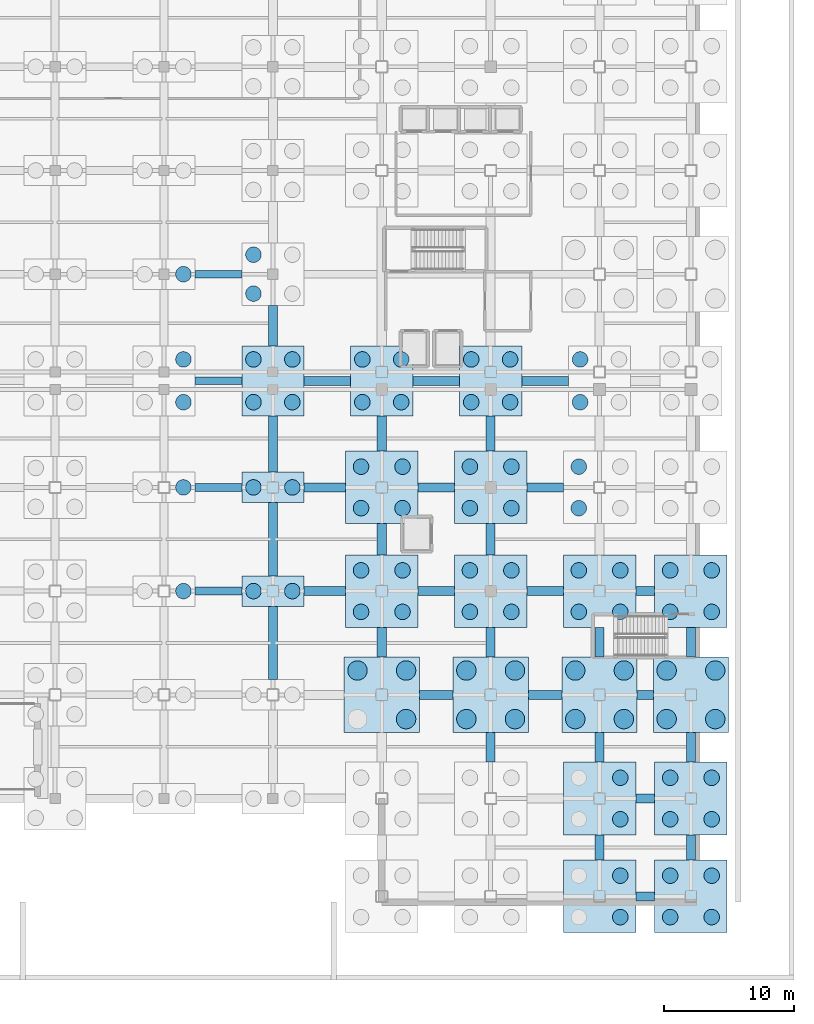
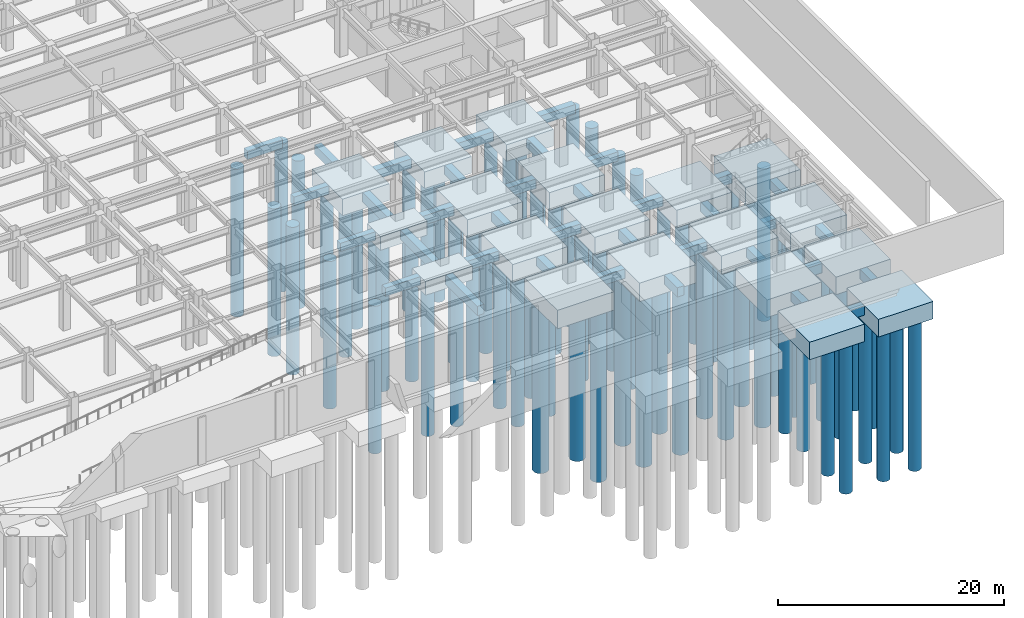
# One storey, part 11 of 55: 78 piles, 55 footings.
"""IFC4 building model written with IfcOpenShell, lengths in metres."""

from ifc_helpers import new_model, si_unit, direction, frame, origin, origin_2d, place, context, subcontext, project, spatial, rectangle, circle, extrude, material, layer, layer_set, material_profile, profile_set, type_object, element, save


model = new_model("IFC4")

# Units and contexts
model_context = context("Model", 3, precision=1e-05, world=origin(), true_north=direction((0.0, 1.0)))
body_context = subcontext(model_context, "Body", "Model", "MODEL_VIEW")
ifc_project = project(units=[si_unit("LENGTHUNIT", "METRE"), si_unit("AREAUNIT", "SQUARE_METRE"), si_unit("VOLUMEUNIT", "CUBIC_METRE"), si_unit("PLANEANGLEUNIT", "RADIAN"), si_unit("MASSUNIT", "GRAM", prefix="KILO")], contexts=[model_context])

# Site, building, storey
site_placement = place(None, origin())
site = spatial("IfcSite", under=ifc_project, at=site_placement, CompositionType="ELEMENT")
building_placement = place(site_placement, origin())
building = spatial("IfcBuilding", under=site, at=building_placement, Name="Kazehara Bluff Congress Hotel", CompositionType="ELEMENT")
storey_placement = place(building_placement, frame((0.0, 0.0, -5.39990234375)))
storey = spatial("IfcBuildingStorey", under=building, at=storey_placement, Name="B1", CompositionType="ELEMENT", Elevation=-5.39990234375)

# Footings
ifc_material_1 = material(Name="Concrete C36/45", Category="concrete")
ifc_material_profile_1 = material_profile(ifc_material_1, rectangle(XDim=0.60009765625, YDim=0.89990234375, at=origin_2d()))
ifc_profile_set_1 = profile_set([ifc_material_profile_1], Name="Concrete C36/45")
footing_type_1 = type_object("IfcFootingType", Name="TP-FB-01", PredefinedType="FOOTING_BEAM", material=ifc_profile_set_1)
for number, where, z_axis, x_axis, name in (
    (1, (129.300048828125, 24.0, -0.9501953125), (1.0, 0.0, 0.0), (0.0, 1.0, 0.0), "Foundation tie beam FB-01 59"),
    (2, (129.300048828125, 32.0, -0.9501953125), (1.0, 0.0, 0.0), (0.0, 1.0, 0.0), "Foundation tie beam FB-01 78"),
    (3, (129.300048828125, 40.22509765625, -0.9501953125), (1.0, 0.0, 0.0), (0.0, 1.0, 0.0), "Foundation tie beam FB-01 96"),
    (4, (129.300048828125, 48.449951171875, -0.9501953125), (1.0, 0.0, 0.0), (0.0, 1.0, 0.0), "Foundation tie beam FB-01 113"),
):
    element("IfcFooting", number, at=place(storey_placement, frame(where, z_axis=z_axis, x_axis=x_axis)), inside=storey, type_object=footing_type_1, Name=name, PredefinedType="FOOTING_BEAM", context=body_context, shape_type="SweptSolid", body=[
        extrude(rectangle(XDim=0.60009765625, YDim=0.89990234375, at=origin_2d()), origin(), (0.0, 0.0, 1.0), 3.599853515625),
    ])
ifc_material_2 = material(Name="Concrete C36/45", Category="concrete")
ifc_material_profile_2 = material_profile(ifc_material_2, rectangle(XDim=0.699951171875, YDim=1.0, at=origin_2d()))
ifc_profile_set_2 = profile_set([ifc_material_profile_2], Name="Concrete C36/45")
footing_type_2 = type_object("IfcFootingType", Name="TP-FB-02", PredefinedType="FOOTING_BEAM", material=ifc_profile_set_2)
for number, where, z_axis, x_axis, name in (
    (5, (163.300048828125, 0.449951171875, -1.0), (1.0, 0.0, 0.0), (0.0, 1.0, 0.0), "Foundation tie beam FB-02 8"),
    (6, (163.300048828125, 8.0, -1.0), (1.0, 0.0, 0.0), (0.0, 1.0, 0.0), "Foundation tie beam FB-02 27"),
):
    element("IfcFooting", number, at=place(storey_placement, frame(where, z_axis=z_axis, x_axis=x_axis)), inside=storey, type_object=footing_type_2, Name=name, PredefinedType="FOOTING_BEAM", context=body_context, shape_type="SweptSolid", body=[
        extrude(rectangle(XDim=0.699951171875, YDim=1.0, at=origin_2d()), origin(), (0.0, 0.0, 1.0), 1.449951171875),
    ])
footing_1_placement = place(storey_placement, frame((146.60009765625, 16.0, -1.0), z_axis=(1.0, 0.0, 0.0), x_axis=(0.0, 1.0, 0.0)))
element("IfcFooting", 7, at=footing_1_placement, inside=storey, type_object=footing_type_2, Name="Foundation tie beam FB-02 42", PredefinedType="FOOTING_BEAM", context=body_context, shape_type="SweptSolid", body=[
    extrude(rectangle(XDim=0.699951171875, YDim=1.0, at=origin_2d()), origin(), (0.0, 0.0, 1.0), 2.599853515625),
])
footing_2_placement = place(storey_placement, frame((155.0, 16.0, -1.0), z_axis=(1.0, 0.0, 0.0), x_axis=(0.0, 1.0, 0.0)))
element("IfcFooting", 8, at=footing_2_placement, inside=storey, type_object=footing_type_2, Name="Foundation tie beam FB-02 43", PredefinedType="FOOTING_BEAM", context=body_context, shape_type="SweptSolid", body=[
    extrude(rectangle(XDim=0.699951171875, YDim=1.0, at=origin_2d()), origin(), (0.0, 0.0, 1.0), 2.60009765625),
])
footing_3_placement = place(storey_placement, frame((163.39990234375, 16.0, -1.0), z_axis=(1.0, 0.0, 0.0), x_axis=(0.0, 1.0, 0.0)))
element("IfcFooting", 9, at=footing_3_placement, inside=storey, type_object=footing_type_2, Name="Foundation tie beam FB-02 44", PredefinedType="FOOTING_BEAM", context=body_context, shape_type="SweptSolid", body=[
    extrude(rectangle(XDim=0.699951171875, YDim=1.0, at=origin_2d()), origin(), (0.0, 0.0, 1.0), 1.25),
])
footing_4_placement = place(storey_placement, frame((137.699951171875, 24.0, -1.0), z_axis=(1.0, 0.0, 0.0), x_axis=(0.0, 1.0, 0.0)))
element("IfcFooting", 10, at=footing_4_placement, inside=storey, type_object=footing_type_2, Name="Foundation tie beam FB-02 60", PredefinedType="FOOTING_BEAM", context=body_context, shape_type="SweptSolid", body=[
    extrude(rectangle(XDim=0.699951171875, YDim=1.0, at=origin_2d()), origin(), (0.0, 0.0, 1.0), 3.199951171875),
])
for number, where, z_axis, x_axis, name in (
    (11, (146.5, 24.0, -1.0), (1.0, 0.0, 0.0), (0.0, 1.0, 0.0), "Foundation tie beam FB-02 61"),
    (12, (154.89990234375, 24.0, -1.0), (1.0, 0.0, 0.0), (0.0, 1.0, 0.0), "Foundation tie beam FB-02 62"),
):
    element("IfcFooting", number, at=place(storey_placement, frame(where, z_axis=z_axis, x_axis=x_axis)), inside=storey, type_object=footing_type_2, Name=name, PredefinedType="FOOTING_BEAM", context=body_context, shape_type="SweptSolid", body=[
        extrude(rectangle(XDim=0.699951171875, YDim=1.0, at=origin_2d()), origin(), (0.0, 0.0, 1.0), 2.800048828125),
    ])
footing_5_placement = place(storey_placement, frame((163.300048828125, 24.0, -1.0), z_axis=(1.0, 0.0, 0.0), x_axis=(0.0, 1.0, 0.0)))
element("IfcFooting", 13, at=footing_5_placement, inside=storey, type_object=footing_type_2, Name="Foundation tie beam FB-02 63", PredefinedType="FOOTING_BEAM", context=body_context, shape_type="SweptSolid", body=[
    extrude(rectangle(XDim=0.699951171875, YDim=1.0, at=origin_2d()), origin(), (0.0, 0.0, 1.0), 1.449951171875),
])
footing_6_placement = place(storey_placement, frame((137.699951171875, 32.0, -1.0), z_axis=(1.0, 0.0, 0.0), x_axis=(0.0, 1.0, 0.0)))
element("IfcFooting", 14, at=footing_6_placement, inside=storey, type_object=footing_type_2, Name="Foundation tie beam FB-02 79", PredefinedType="FOOTING_BEAM", context=body_context, shape_type="SweptSolid", body=[
    extrude(rectangle(XDim=0.699951171875, YDim=1.0, at=origin_2d()), origin(), (0.0, 0.0, 1.0), 3.199951171875),
])
for number, where, z_axis, x_axis, name in (
    (15, (146.5, 32.0, -1.0), (1.0, 0.0, 0.0), (0.0, 1.0, 0.0), "Foundation tie beam FB-02 80"),
    (16, (154.89990234375, 32.0, -1.0), (1.0, 0.0, 0.0), (0.0, 1.0, 0.0), "Foundation tie beam FB-02 81"),
):
    element("IfcFooting", number, at=place(storey_placement, frame(where, z_axis=z_axis, x_axis=x_axis)), inside=storey, type_object=footing_type_2, Name=name, PredefinedType="FOOTING_BEAM", context=body_context, shape_type="SweptSolid", body=[
        extrude(rectangle(XDim=0.699951171875, YDim=1.0, at=origin_2d()), origin(), (0.0, 0.0, 1.0), 2.800048828125),
    ])
footing_7_placement = place(storey_placement, frame((137.699951171875, 40.22509765625, -1.0), z_axis=(1.0, 0.0, 0.0), x_axis=(0.0, 1.0, 0.0)))
element("IfcFooting", 17, at=footing_7_placement, inside=storey, type_object=footing_type_2, Name="Foundation tie beam FB-02 97", PredefinedType="FOOTING_BEAM", context=body_context, shape_type="SweptSolid", body=[
    extrude(rectangle(XDim=0.699951171875, YDim=1.0, at=origin_2d()), origin(), (0.0, 0.0, 1.0), 3.60009765625),
])
footing_8_placement = place(storey_placement, frame((146.10009765625, 40.22509765625, -1.0), z_axis=(1.0, 0.0, 0.0), x_axis=(0.0, 1.0, 0.0)))
element("IfcFooting", 18, at=footing_8_placement, inside=storey, type_object=footing_type_2, Name="Foundation tie beam FB-02 98", PredefinedType="FOOTING_BEAM", context=body_context, shape_type="SweptSolid", body=[
    extrude(rectangle(XDim=0.699951171875, YDim=1.0, at=origin_2d()), origin(), (0.0, 0.0, 1.0), 3.599853515625),
])
footing_9_placement = place(storey_placement, frame((154.5, 40.22509765625, -1.0), z_axis=(1.0, 0.0, 0.0), x_axis=(0.0, 1.0, 0.0)))
element("IfcFooting", 19, at=footing_9_placement, inside=storey, type_object=footing_type_2, Name="Foundation tie beam FB-02 99", PredefinedType="FOOTING_BEAM", context=body_context, shape_type="SweptSolid", body=[
    extrude(rectangle(XDim=0.699951171875, YDim=1.0, at=origin_2d()), origin(), (0.0, 0.0, 1.0), 3.60009765625),
])
for number, where, z_axis, x_axis, name in (
    (20, (135.300048828125, 17.175048828125, -1.0), (0.0, 1.0, 0.0), (-1.0, 0.0, 0.0), "Foundation tie beam FB-02 437"),
    (21, (135.300048828125, 25.175048828125, -1.0), (0.0, 1.0, 0.0), (-1.0, 0.0, 0.0), "Foundation tie beam FB-02 438"),
):
    element("IfcFooting", number, at=place(storey_placement, frame(where, z_axis=z_axis, x_axis=x_axis)), inside=storey, type_object=footing_type_2, Name=name, PredefinedType="FOOTING_BEAM", context=body_context, shape_type="SweptSolid", body=[
        extrude(rectangle(XDim=0.699951171875, YDim=1.0, at=origin_2d()), origin(), (0.0, 0.0, 1.0), 5.64990234375),
    ])
footing_10_placement = place(storey_placement, frame((135.300048828125, 33.175048828125, -1.0), z_axis=(0.0, 1.0, 0.0), x_axis=(-1.0, 0.0, 0.0)))
element("IfcFooting", 22, at=footing_10_placement, inside=storey, type_object=footing_type_2, Name="Foundation tie beam FB-02 439", PredefinedType="FOOTING_BEAM", context=body_context, shape_type="SweptSolid", body=[
    extrude(rectangle(XDim=0.699951171875, YDim=1.0, at=origin_2d()), origin(), (0.0, 0.0, 1.0), 4.349853515625),
])
footing_11_placement = place(storey_placement, frame((135.300048828125, 42.925048828125, -1.0), z_axis=(0.0, 1.0, 0.0), x_axis=(-1.0, 0.0, 0.0)))
element("IfcFooting", 23, at=footing_11_placement, inside=storey, type_object=footing_type_2, Name="Foundation tie beam FB-02 440", PredefinedType="FOOTING_BEAM", context=body_context, shape_type="SweptSolid", body=[
    extrude(rectangle(XDim=0.699951171875, YDim=1.0, at=origin_2d()), origin(), (0.0, 0.0, 1.0), 3.125),
])
footing_12_placement = place(storey_placement, frame((143.699951171875, 18.89990234375, -1.0), z_axis=(0.0, 1.0, 0.0), x_axis=(-1.0, 0.0, 0.0)))
element("IfcFooting", 24, at=footing_12_placement, inside=storey, type_object=footing_type_2, Name="Foundation tie beam FB-02 449", PredefinedType="FOOTING_BEAM", context=body_context, shape_type="SweptSolid", body=[
    extrude(rectangle(XDim=0.699951171875, YDim=1.0, at=origin_2d()), origin(), (0.0, 0.0, 1.0), 2.300048828125),
])
footing_13_placement = place(storey_placement, frame((143.699951171875, 26.800048828125, -1.0), z_axis=(0.0, 1.0, 0.0), x_axis=(-1.0, 0.0, 0.0)))
element("IfcFooting", 25, at=footing_13_placement, inside=storey, type_object=footing_type_2, Name="Foundation tie beam FB-02 450", PredefinedType="FOOTING_BEAM", context=body_context, shape_type="SweptSolid", body=[
    extrude(rectangle(XDim=0.699951171875, YDim=1.0, at=origin_2d()), origin(), (0.0, 0.0, 1.0), 2.39990234375),
])
footing_14_placement = place(storey_placement, frame((143.699951171875, 34.800048828125, -1.0), z_axis=(0.0, 1.0, 0.0), x_axis=(-1.0, 0.0, 0.0)))
element("IfcFooting", 26, at=footing_14_placement, inside=storey, type_object=footing_type_2, Name="Foundation tie beam FB-02 451", PredefinedType="FOOTING_BEAM", context=body_context, shape_type="SweptSolid", body=[
    extrude(rectangle(XDim=0.699951171875, YDim=1.0, at=origin_2d()), origin(), (0.0, 0.0, 1.0), 2.724853515625),
])
for number, where, z_axis, x_axis, name in (
    (27, (152.10009765625, 10.800048828125, -1.0), (0.0, 1.0, 0.0), (-1.0, 0.0, 0.0), "Foundation tie beam FB-02 461"),
    (28, (152.10009765625, 18.89990234375, -1.0), (0.0, 1.0, 0.0), (-1.0, 0.0, 0.0), "Foundation tie beam FB-02 462"),
):
    element("IfcFooting", number, at=place(storey_placement, frame(where, z_axis=z_axis, x_axis=x_axis)), inside=storey, type_object=footing_type_2, Name=name, PredefinedType="FOOTING_BEAM", context=body_context, shape_type="SweptSolid", body=[
        extrude(rectangle(XDim=0.699951171875, YDim=1.0, at=origin_2d()), origin(), (0.0, 0.0, 1.0), 2.300048828125),
    ])
footing_15_placement = place(storey_placement, frame((152.10009765625, 26.800048828125, -1.0), z_axis=(0.0, 1.0, 0.0), x_axis=(-1.0, 0.0, 0.0)))
element("IfcFooting", 29, at=footing_15_placement, inside=storey, type_object=footing_type_2, Name="Foundation tie beam FB-02 463", PredefinedType="FOOTING_BEAM", context=body_context, shape_type="SweptSolid", body=[
    extrude(rectangle(XDim=0.699951171875, YDim=1.0, at=origin_2d()), origin(), (0.0, 0.0, 1.0), 2.39990234375),
])
footing_16_placement = place(storey_placement, frame((152.10009765625, 34.800048828125, -1.0), z_axis=(0.0, 1.0, 0.0), x_axis=(-1.0, 0.0, 0.0)))
element("IfcFooting", 30, at=footing_16_placement, inside=storey, type_object=footing_type_2, Name="Foundation tie beam FB-02 464", PredefinedType="FOOTING_BEAM", context=body_context, shape_type="SweptSolid", body=[
    extrude(rectangle(XDim=0.699951171875, YDim=1.0, at=origin_2d()), origin(), (0.0, 0.0, 1.0), 2.724853515625),
])
footing_17_placement = place(storey_placement, frame((160.5, 3.25, -1.0), z_axis=(0.0, 1.0, 0.0), x_axis=(-1.0, 0.0, 0.0)))
element("IfcFooting", 31, at=footing_17_placement, inside=storey, type_object=footing_type_2, Name="Foundation tie beam FB-02 473", PredefinedType="FOOTING_BEAM", context=body_context, shape_type="SweptSolid", body=[
    extrude(rectangle(XDim=0.699951171875, YDim=1.0, at=origin_2d()), origin(), (0.0, 0.0, 1.0), 1.949951171875),
])
for number, where, z_axis, x_axis, name in (
    (32, (160.5, 10.800048828125, -1.0), (0.0, 1.0, 0.0), (-1.0, 0.0, 0.0), "Foundation tie beam FB-02 474"),
    (33, (160.5, 18.89990234375, -1.0), (0.0, 1.0, 0.0), (-1.0, 0.0, 0.0), "Foundation tie beam FB-02 475"),
):
    element("IfcFooting", number, at=place(storey_placement, frame(where, z_axis=z_axis, x_axis=x_axis)), inside=storey, type_object=footing_type_2, Name=name, PredefinedType="FOOTING_BEAM", context=body_context, shape_type="SweptSolid", body=[
        extrude(rectangle(XDim=0.699951171875, YDim=1.0, at=origin_2d()), origin(), (0.0, 0.0, 1.0), 2.300048828125),
    ])
footing_18_placement = place(storey_placement, frame((167.550048828125, 3.25, -1.0), z_axis=(0.0, 1.0, 0.0), x_axis=(-1.0, 0.0, 0.0)))
element("IfcFooting", 34, at=footing_18_placement, inside=storey, type_object=footing_type_2, Name="Foundation tie beam FB-02 487", PredefinedType="FOOTING_BEAM", context=body_context, shape_type="SweptSolid", body=[
    extrude(rectangle(XDim=0.699951171875, YDim=1.0, at=origin_2d()), origin(), (0.0, 0.0, 1.0), 1.949951171875),
])
for number, where, z_axis, x_axis, name in (
    (35, (167.550048828125, 10.800048828125, -1.0), (0.0, 1.0, 0.0), (-1.0, 0.0, 0.0), "Foundation tie beam FB-02 488"),
    (36, (167.550048828125, 18.89990234375, -1.0), (0.0, 1.0, 0.0), (-1.0, 0.0, 0.0), "Foundation tie beam FB-02 489"),
):
    element("IfcFooting", number, at=place(storey_placement, frame(where, z_axis=z_axis, x_axis=x_axis)), inside=storey, type_object=footing_type_2, Name=name, PredefinedType="FOOTING_BEAM", context=body_context, shape_type="SweptSolid", body=[
        extrude(rectangle(XDim=0.699951171875, YDim=1.0, at=origin_2d()), origin(), (0.0, 0.0, 1.0), 2.300048828125),
    ])
ifc_material_3 = material(Name="Concrete C36/45", Category="concrete")
ifc_layer_1 = layer(ifc_material_3, 1.5)
ifc_layer_set_1 = layer_set([ifc_layer_1], Name="Concrete C36/45")
footing_type_3 = type_object("IfcFootingType", Name="TP-PC-02", PredefinedType="PILE_CAP", material=ifc_layer_set_1)
for number, where, z_axis, x_axis, name in (
    (37, (135.300048828125, 24.0, -2.0), (0.0, 0.0, 1.0), (1.0, 0.0, 0.0), "Pile cap PC-02 224"),
    (38, (135.300048828125, 32.0, -2.0), (0.0, 0.0, 1.0), (1.0, 0.0, 0.0), "Pile cap PC-02 225"),
):
    element("IfcFooting", number, at=place(storey_placement, frame(where, z_axis=z_axis, x_axis=x_axis)), inside=storey, type_object=footing_type_3, Name=name, PredefinedType="PILE_CAP", context=body_context, shape_type="SweptSolid", body=[
        extrude(rectangle(XDim=4.800048828125, YDim=2.35009765625, at=origin_2d()), origin(), (0.0, 0.0, 1.0), 1.5),
    ])
ifc_material_4 = material(Name="Concrete C36/45", Category="concrete")
ifc_layer_2 = layer(ifc_material_4, 1.800048828125)
ifc_layer_set_2 = layer_set([ifc_layer_2], Name="Concrete C36/45")
footing_type_4 = type_object("IfcFootingType", Name="TP-PC-08", PredefinedType="PILE_CAP", material=ifc_layer_set_2)
for number, where, z_axis, x_axis, name in (
    (39, (135.300048828125, 40.22509765625, -2.30029296875), (0.0, 0.0, 1.0), (1.0, 0.0, 0.0), "Pile cap PC-08 226"),
    (40, (143.699951171875, 40.22509765625, -2.30029296875), (0.0, 0.0, 1.0), (1.0, 0.0, 0.0), "Pile cap PC-08 239"),
    (41, (152.10009765625, 40.22509765625, -2.30029296875), (0.0, 0.0, 1.0), (1.0, 0.0, 0.0), "Pile cap PC-08 254"),
):
    element("IfcFooting", number, at=place(storey_placement, frame(where, z_axis=z_axis, x_axis=x_axis)), inside=storey, type_object=footing_type_4, Name=name, PredefinedType="PILE_CAP", context=body_context, shape_type="SweptSolid", body=[
        extrude(rectangle(XDim=4.800048828125, YDim=5.39990234375, at=origin_2d()), origin(), (0.0, 0.0, 1.0), 1.800048828125),
    ])
ifc_material_5 = material(Name="Concrete C36/45", Category="concrete")
ifc_layer_3 = layer(ifc_material_5, 1.89990234375)
ifc_layer_set_3 = layer_set([ifc_layer_3], Name="Concrete C36/45")
footing_type_5 = type_object("IfcFootingType", Name="TP-PC-09", PredefinedType="PILE_CAP", material=ifc_layer_set_3)
for number, where, z_axis, x_axis, name in (
    (42, (143.699951171875, 24.0, -2.400146484375), (0.0, 0.0, 1.0), (1.0, 0.0, 0.0), "Pile cap PC-09 237"),
    (43, (143.699951171875, 32.0, -2.400146484375), (0.0, 0.0, 1.0), (1.0, 0.0, 0.0), "Pile cap PC-09 238"),
    (44, (152.10009765625, 24.0, -2.400146484375), (0.0, 0.0, 1.0), (1.0, 0.0, 0.0), "Pile cap PC-09 252"),
    (45, (152.10009765625, 32.0, -2.400146484375), (0.0, 0.0, 1.0), (1.0, 0.0, 0.0), "Pile cap PC-09 253"),
    (46, (160.5, 0.449951171875, -2.400146484375), (0.0, 0.0, 1.0), (1.0, 0.0, 0.0), "Pile cap PC-09 264"),
    (47, (160.5, 8.0, -2.400146484375), (0.0, 0.0, 1.0), (1.0, 0.0, 0.0), "Pile cap PC-09 265"),
    (48, (160.5, 24.0, -2.400146484375), (0.0, 0.0, 1.0), (1.0, 0.0, 0.0), "Pile cap PC-09 267"),
    (49, (167.550048828125, 0.449951171875, -2.400146484375), (0.0, 0.0, 1.0), (1.0, 0.0, 0.0), "Pile cap PC-09 280"),
    (50, (167.550048828125, 8.0, -2.400146484375), (0.0, 0.0, 1.0), (1.0, 0.0, 0.0), "Pile cap PC-09 281"),
    (51, (167.550048828125, 24.0, -2.400146484375), (0.0, 0.0, 1.0), (1.0, 0.0, 0.0), "Pile cap PC-09 283"),
):
    element("IfcFooting", number, at=place(storey_placement, frame(where, z_axis=z_axis, x_axis=x_axis)), inside=storey, type_object=footing_type_5, Name=name, PredefinedType="PILE_CAP", context=body_context, shape_type="SweptSolid", body=[
        extrude(rectangle(XDim=5.60009765625, YDim=5.60009765625, at=origin_2d()), origin(), (0.0, 0.0, 1.0), 1.89990234375),
    ])
ifc_material_6 = material(Name="Concrete C36/45", Category="concrete")
ifc_layer_4 = layer(ifc_material_6, 2.0)
ifc_layer_set_4 = layer_set([ifc_layer_4], Name="Concrete C36/45")
footing_type_6 = type_object("IfcFootingType", Name="TP-PC-10", PredefinedType="PILE_CAP", material=ifc_layer_set_4)
for number, where, z_axis, x_axis, name in (
    (52, (143.699951171875, 16.0, -2.5), (0.0, 0.0, 1.0), (1.0, 0.0, 0.0), "Pile cap PC-10 236"),
    (53, (152.10009765625, 16.0, -2.5), (0.0, 0.0, 1.0), (1.0, 0.0, 0.0), "Pile cap PC-10 251"),
    (54, (160.5, 16.0, -2.5), (0.0, 0.0, 1.0), (1.0, 0.0, 0.0), "Pile cap PC-10 266"),
    (55, (167.550048828125, 16.0, -2.5), (0.0, 0.0, 1.0), (1.0, 0.0, 0.0), "Pile cap PC-10 282"),
):
    element("IfcFooting", number, at=place(storey_placement, frame(where, z_axis=z_axis, x_axis=x_axis)), inside=storey, type_object=footing_type_6, Name=name, PredefinedType="PILE_CAP", context=body_context, shape_type="SweptSolid", body=[
        extrude(rectangle(XDim=5.800048828125, YDim=5.800048828125, at=origin_2d()), origin(), (0.0, 0.0, 1.0), 2.0),
    ])

# Piles
ifc_material_7 = material(Name="Concrete C36/45", Category="concrete")
ifc_material_profile_3 = material_profile(ifc_material_7, circle(Radius=0.60009765625, at=origin_2d()))
ifc_profile_set_3 = profile_set([ifc_material_profile_3], Name="Concrete C36/45")
pile_type_1 = type_object("IfcPileType", Name="TP-PILE-1200", PredefinedType="BORED", material=ifc_profile_set_3)
for number, where, z_axis, x_axis, name in (
    (56, (128.39990234375, 24.0, -1.900146484375), (0.0, 0.0, -1.0), (1.0, 0.0, 0.0), "Bored pile FND-PC-212-P2"),
    (57, (128.39990234375, 32.0, -1.900146484375), (0.0, 0.0, -1.0), (1.0, 0.0, 0.0), "Bored pile FND-PC-213-P2"),
    (58, (128.39990234375, 38.574951171875, -2.2001953125), (0.0, 0.0, -1.0), (1.0, 0.0, 0.0), "Bored pile FND-PC-214-P2"),
    (59, (128.39990234375, 41.875, -2.2001953125), (0.0, 0.0, -1.0), (1.0, 0.0, 0.0), "Bored pile FND-PC-214-P4"),
    (60, (128.39990234375, 48.449951171875, -1.900146484375), (0.0, 0.0, -1.0), (1.0, 0.0, 0.0), "Bored pile FND-PC-215-P2"),
    (61, (133.800048828125, 24.0, -1.900146484375), (0.0, 0.0, -1.0), (1.0, 0.0, 0.0), "Bored pile FND-PC-224-P1"),
    (62, (136.800048828125, 24.0, -1.900146484375), (0.0, 0.0, -1.0), (1.0, 0.0, 0.0), "Bored pile FND-PC-224-P2"),
    (63, (133.800048828125, 32.0, -1.900146484375), (0.0, 0.0, -1.0), (1.0, 0.0, 0.0), "Bored pile FND-PC-225-P1"),
    (64, (136.800048828125, 32.0, -1.900146484375), (0.0, 0.0, -1.0), (1.0, 0.0, 0.0), "Bored pile FND-PC-225-P2"),
    (65, (133.800048828125, 38.574951171875, -2.2001953125), (0.0, 0.0, -1.0), (1.0, 0.0, 0.0), "Bored pile FND-PC-226-P1"),
    (66, (136.800048828125, 38.574951171875, -2.2001953125), (0.0, 0.0, -1.0), (1.0, 0.0, 0.0), "Bored pile FND-PC-226-P2"),
    (67, (133.800048828125, 41.875, -2.2001953125), (0.0, 0.0, -1.0), (1.0, 0.0, 0.0), "Bored pile FND-PC-226-P3"),
    (68, (136.800048828125, 41.875, -2.2001953125), (0.0, 0.0, -1.0), (1.0, 0.0, 0.0), "Bored pile FND-PC-226-P4"),
    (69, (133.800048828125, 46.949951171875, -2.0), (0.0, 0.0, -1.0), (1.0, 0.0, 0.0), "Bored pile FND-PC-227-P1"),
    (70, (133.800048828125, 49.949951171875, -2.0), (0.0, 0.0, -1.0), (1.0, 0.0, 0.0), "Bored pile FND-PC-227-P3"),
):
    element("IfcPile", number, at=place(storey_placement, frame(where, z_axis=z_axis, x_axis=x_axis)), inside=storey, type_object=pile_type_1, Name=name, PredefinedType="BORED", context=body_context, shape_type="SweptSolid", body=[
        extrude(circle(Radius=0.60009765625, at=origin_2d()), origin(), (0.0, 0.0, 1.0), 16.0),
    ])
for number, where, z_axis, x_axis, name in (
    (71, (142.10009765625, 22.39990234375, -2.300048828125), (0.0, 0.0, -1.0), (1.0, 0.0, 0.0), "Bored pile FND-PC-237-P1"),
    (72, (145.300048828125, 22.39990234375, -2.300048828125), (0.0, 0.0, -1.0), (1.0, 0.0, 0.0), "Bored pile FND-PC-237-P2"),
    (73, (142.10009765625, 25.60009765625, -2.300048828125), (0.0, 0.0, -1.0), (1.0, 0.0, 0.0), "Bored pile FND-PC-237-P3"),
    (74, (145.300048828125, 25.60009765625, -2.300048828125), (0.0, 0.0, -1.0), (1.0, 0.0, 0.0), "Bored pile FND-PC-237-P4"),
    (75, (142.10009765625, 30.39990234375, -2.300048828125), (0.0, 0.0, -1.0), (1.0, 0.0, 0.0), "Bored pile FND-PC-238-P1"),
    (76, (145.300048828125, 30.39990234375, -2.300048828125), (0.0, 0.0, -1.0), (1.0, 0.0, 0.0), "Bored pile FND-PC-238-P2"),
    (77, (142.10009765625, 33.60009765625, -2.300048828125), (0.0, 0.0, -1.0), (1.0, 0.0, 0.0), "Bored pile FND-PC-238-P3"),
    (78, (145.300048828125, 33.60009765625, -2.300048828125), (0.0, 0.0, -1.0), (1.0, 0.0, 0.0), "Bored pile FND-PC-238-P4"),
):
    element("IfcPile", number, at=place(storey_placement, frame(where, z_axis=z_axis, x_axis=x_axis)), inside=storey, type_object=pile_type_1, Name=name, PredefinedType="BORED", context=body_context, shape_type="SweptSolid", body=[
        extrude(circle(Radius=0.60009765625, at=origin_2d()), origin(), (0.0, 0.0, 1.0), 16.5),
    ])
for number, where, z_axis, x_axis, name in (
    (79, (142.199951171875, 38.574951171875, -2.2001953125), (0.0, 0.0, -1.0), (1.0, 0.0, 0.0), "Bored pile FND-PC-239-P1"),
    (80, (145.199951171875, 38.574951171875, -2.2001953125), (0.0, 0.0, -1.0), (1.0, 0.0, 0.0), "Bored pile FND-PC-239-P2"),
    (81, (142.199951171875, 41.875, -2.2001953125), (0.0, 0.0, -1.0), (1.0, 0.0, 0.0), "Bored pile FND-PC-239-P3"),
    (82, (145.199951171875, 41.875, -2.2001953125), (0.0, 0.0, -1.0), (1.0, 0.0, 0.0), "Bored pile FND-PC-239-P4"),
):
    element("IfcPile", number, at=place(storey_placement, frame(where, z_axis=z_axis, x_axis=x_axis)), inside=storey, type_object=pile_type_1, Name=name, PredefinedType="BORED", context=body_context, shape_type="SweptSolid", body=[
        extrude(circle(Radius=0.60009765625, at=origin_2d()), origin(), (0.0, 0.0, 1.0), 16.0),
    ])
for number, where, z_axis, x_axis, name in (
    (83, (150.5, 22.39990234375, -2.300048828125), (0.0, 0.0, -1.0), (1.0, 0.0, 0.0), "Bored pile FND-PC-252-P1"),
    (84, (153.699951171875, 22.39990234375, -2.300048828125), (0.0, 0.0, -1.0), (1.0, 0.0, 0.0), "Bored pile FND-PC-252-P2"),
    (85, (150.5, 25.60009765625, -2.300048828125), (0.0, 0.0, -1.0), (1.0, 0.0, 0.0), "Bored pile FND-PC-252-P3"),
    (86, (153.699951171875, 25.60009765625, -2.300048828125), (0.0, 0.0, -1.0), (1.0, 0.0, 0.0), "Bored pile FND-PC-252-P4"),
    (87, (150.5, 30.39990234375, -2.300048828125), (0.0, 0.0, -1.0), (1.0, 0.0, 0.0), "Bored pile FND-PC-253-P1"),
    (88, (153.699951171875, 30.39990234375, -2.300048828125), (0.0, 0.0, -1.0), (1.0, 0.0, 0.0), "Bored pile FND-PC-253-P2"),
    (89, (150.5, 33.60009765625, -2.300048828125), (0.0, 0.0, -1.0), (1.0, 0.0, 0.0), "Bored pile FND-PC-253-P3"),
    (90, (153.699951171875, 33.60009765625, -2.300048828125), (0.0, 0.0, -1.0), (1.0, 0.0, 0.0), "Bored pile FND-PC-253-P4"),
):
    element("IfcPile", number, at=place(storey_placement, frame(where, z_axis=z_axis, x_axis=x_axis)), inside=storey, type_object=pile_type_1, Name=name, PredefinedType="BORED", context=body_context, shape_type="SweptSolid", body=[
        extrude(circle(Radius=0.60009765625, at=origin_2d()), origin(), (0.0, 0.0, 1.0), 16.5),
    ])
for number, where, z_axis, x_axis, name in (
    (91, (150.60009765625, 38.574951171875, -2.2001953125), (0.0, 0.0, -1.0), (1.0, 0.0, 0.0), "Bored pile FND-PC-254-P1"),
    (92, (153.60009765625, 38.574951171875, -2.2001953125), (0.0, 0.0, -1.0), (1.0, 0.0, 0.0), "Bored pile FND-PC-254-P2"),
    (93, (150.60009765625, 41.875, -2.2001953125), (0.0, 0.0, -1.0), (1.0, 0.0, 0.0), "Bored pile FND-PC-254-P3"),
    (94, (153.60009765625, 41.875, -2.2001953125), (0.0, 0.0, -1.0), (1.0, 0.0, 0.0), "Bored pile FND-PC-254-P4"),
):
    element("IfcPile", number, at=place(storey_placement, frame(where, z_axis=z_axis, x_axis=x_axis)), inside=storey, type_object=pile_type_1, Name=name, PredefinedType="BORED", context=body_context, shape_type="SweptSolid", body=[
        extrude(circle(Radius=0.60009765625, at=origin_2d()), origin(), (0.0, 0.0, 1.0), 16.0),
    ])
for number, where, z_axis, x_axis, name in (
    (95, (162.10009765625, -1.14990234375, -2.300048828125), (0.0, 0.0, -1.0), (1.0, 0.0, 0.0), "Bored pile FND-PC-264-P2"),
    (96, (162.10009765625, 2.050048828125, -2.300048828125), (0.0, 0.0, -1.0), (1.0, 0.0, 0.0), "Bored pile FND-PC-264-P4"),
    (97, (162.10009765625, 6.39990234375, -2.300048828125), (0.0, 0.0, -1.0), (1.0, 0.0, 0.0), "Bored pile FND-PC-265-P2"),
    (98, (162.10009765625, 9.60009765625, -2.300048828125), (0.0, 0.0, -1.0), (1.0, 0.0, 0.0), "Bored pile FND-PC-265-P4"),
    (99, (158.89990234375, 22.39990234375, -2.300048828125), (0.0, 0.0, -1.0), (1.0, 0.0, 0.0), "Bored pile FND-PC-267-P1"),
    (100, (162.10009765625, 22.39990234375, -2.300048828125), (0.0, 0.0, -1.0), (1.0, 0.0, 0.0), "Bored pile FND-PC-267-P2"),
    (101, (158.89990234375, 25.60009765625, -2.300048828125), (0.0, 0.0, -1.0), (1.0, 0.0, 0.0), "Bored pile FND-PC-267-P3"),
    (102, (162.10009765625, 25.60009765625, -2.300048828125), (0.0, 0.0, -1.0), (1.0, 0.0, 0.0), "Bored pile FND-PC-267-P4"),
    (103, (158.89990234375, 30.39990234375, -2.300048828125), (0.0, 0.0, -1.0), (1.0, 0.0, 0.0), "Bored pile FND-PC-268-P1"),
    (104, (158.89990234375, 33.60009765625, -2.300048828125), (0.0, 0.0, -1.0), (1.0, 0.0, 0.0), "Bored pile FND-PC-268-P3"),
):
    element("IfcPile", number, at=place(storey_placement, frame(where, z_axis=z_axis, x_axis=x_axis)), inside=storey, type_object=pile_type_1, Name=name, PredefinedType="BORED", context=body_context, shape_type="SweptSolid", body=[
        extrude(circle(Radius=0.60009765625, at=origin_2d()), origin(), (0.0, 0.0, 1.0), 16.5),
    ])
for number, where, z_axis, x_axis, name in (
    (105, (159.0, 38.574951171875, -2.2001953125), (0.0, 0.0, -1.0), (1.0, 0.0, 0.0), "Bored pile FND-PC-269-P1"),
    (106, (159.0, 41.875, -2.2001953125), (0.0, 0.0, -1.0), (1.0, 0.0, 0.0), "Bored pile FND-PC-269-P3"),
):
    element("IfcPile", number, at=place(storey_placement, frame(where, z_axis=z_axis, x_axis=x_axis)), inside=storey, type_object=pile_type_1, Name=name, PredefinedType="BORED", context=body_context, shape_type="SweptSolid", body=[
        extrude(circle(Radius=0.60009765625, at=origin_2d()), origin(), (0.0, 0.0, 1.0), 16.0),
    ])
for number, where, z_axis, x_axis, name in (
    (107, (165.949951171875, -1.14990234375, -2.300048828125), (0.0, 0.0, -1.0), (1.0, 0.0, 0.0), "Bored pile FND-PC-280-P1"),
    (108, (169.14990234375, -1.14990234375, -2.300048828125), (0.0, 0.0, -1.0), (1.0, 0.0, 0.0), "Bored pile FND-PC-280-P2"),
    (109, (165.949951171875, 2.050048828125, -2.300048828125), (0.0, 0.0, -1.0), (1.0, 0.0, 0.0), "Bored pile FND-PC-280-P3"),
    (110, (169.14990234375, 2.050048828125, -2.300048828125), (0.0, 0.0, -1.0), (1.0, 0.0, 0.0), "Bored pile FND-PC-280-P4"),
    (111, (165.949951171875, 6.39990234375, -2.300048828125), (0.0, 0.0, -1.0), (1.0, 0.0, 0.0), "Bored pile FND-PC-281-P1"),
    (112, (169.14990234375, 6.39990234375, -2.300048828125), (0.0, 0.0, -1.0), (1.0, 0.0, 0.0), "Bored pile FND-PC-281-P2"),
    (113, (165.949951171875, 9.60009765625, -2.300048828125), (0.0, 0.0, -1.0), (1.0, 0.0, 0.0), "Bored pile FND-PC-281-P3"),
    (114, (169.14990234375, 9.60009765625, -2.300048828125), (0.0, 0.0, -1.0), (1.0, 0.0, 0.0), "Bored pile FND-PC-281-P4"),
    (115, (165.949951171875, 22.39990234375, -2.300048828125), (0.0, 0.0, -1.0), (1.0, 0.0, 0.0), "Bored pile FND-PC-283-P1"),
    (116, (169.14990234375, 22.39990234375, -2.300048828125), (0.0, 0.0, -1.0), (1.0, 0.0, 0.0), "Bored pile FND-PC-283-P2"),
    (117, (165.949951171875, 25.60009765625, -2.300048828125), (0.0, 0.0, -1.0), (1.0, 0.0, 0.0), "Bored pile FND-PC-283-P3"),
    (118, (169.14990234375, 25.60009765625, -2.300048828125), (0.0, 0.0, -1.0), (1.0, 0.0, 0.0), "Bored pile FND-PC-283-P4"),
):
    element("IfcPile", number, at=place(storey_placement, frame(where, z_axis=z_axis, x_axis=x_axis)), inside=storey, type_object=pile_type_1, Name=name, PredefinedType="BORED", context=body_context, shape_type="SweptSolid", body=[
        extrude(circle(Radius=0.60009765625, at=origin_2d()), origin(), (0.0, 0.0, 1.0), 16.5),
    ])
ifc_material_8 = material(Name="Concrete C36/45", Category="concrete")
ifc_material_profile_4 = material_profile(ifc_material_8, circle(Radius=0.75, at=origin_2d()))
ifc_profile_set_4 = profile_set([ifc_material_profile_4], Name="Concrete C36/45")
pile_type_2 = type_object("IfcPileType", Name="TP-PILE-1500", PredefinedType="BORED", material=ifc_profile_set_4)
for number, where, z_axis, x_axis, name in (
    (119, (145.574951171875, 14.125, -2.400146484375), (0.0, 0.0, -1.0), (1.0, 0.0, 0.0), "Bored pile FND-PC-236-P2"),
    (120, (141.824951171875, 17.875, -2.400146484375), (0.0, 0.0, -1.0), (1.0, 0.0, 0.0), "Bored pile FND-PC-236-P3"),
    (121, (145.574951171875, 17.875, -2.400146484375), (0.0, 0.0, -1.0), (1.0, 0.0, 0.0), "Bored pile FND-PC-236-P4"),
    (122, (150.22509765625, 14.125, -2.400146484375), (0.0, 0.0, -1.0), (1.0, 0.0, 0.0), "Bored pile FND-PC-251-P1"),
    (123, (153.97509765625, 14.125, -2.400146484375), (0.0, 0.0, -1.0), (1.0, 0.0, 0.0), "Bored pile FND-PC-251-P2"),
    (124, (150.22509765625, 17.875, -2.400146484375), (0.0, 0.0, -1.0), (1.0, 0.0, 0.0), "Bored pile FND-PC-251-P3"),
    (125, (153.97509765625, 17.875, -2.400146484375), (0.0, 0.0, -1.0), (1.0, 0.0, 0.0), "Bored pile FND-PC-251-P4"),
    (126, (158.625, 14.125, -2.400146484375), (0.0, 0.0, -1.0), (1.0, 0.0, 0.0), "Bored pile FND-PC-266-P1"),
    (127, (162.375, 14.125, -2.400146484375), (0.0, 0.0, -1.0), (1.0, 0.0, 0.0), "Bored pile FND-PC-266-P2"),
    (128, (158.625, 17.875, -2.400146484375), (0.0, 0.0, -1.0), (1.0, 0.0, 0.0), "Bored pile FND-PC-266-P3"),
    (129, (162.375, 17.875, -2.400146484375), (0.0, 0.0, -1.0), (1.0, 0.0, 0.0), "Bored pile FND-PC-266-P4"),
    (130, (165.675048828125, 14.125, -2.400146484375), (0.0, 0.0, -1.0), (1.0, 0.0, 0.0), "Bored pile FND-PC-282-P1"),
    (131, (169.425048828125, 14.125, -2.400146484375), (0.0, 0.0, -1.0), (1.0, 0.0, 0.0), "Bored pile FND-PC-282-P2"),
    (132, (165.675048828125, 17.875, -2.400146484375), (0.0, 0.0, -1.0), (1.0, 0.0, 0.0), "Bored pile FND-PC-282-P3"),
    (133, (169.425048828125, 17.875, -2.400146484375), (0.0, 0.0, -1.0), (1.0, 0.0, 0.0), "Bored pile FND-PC-282-P4"),
):
    element("IfcPile", number, at=place(storey_placement, frame(where, z_axis=z_axis, x_axis=x_axis)), inside=storey, type_object=pile_type_2, Name=name, PredefinedType="BORED", context=body_context, shape_type="SweptSolid", body=[
        extrude(circle(Radius=0.75, at=origin_2d()), origin(), (0.0, 0.0, 1.0), 18.5),
    ])

save(model, "model.ifc")
